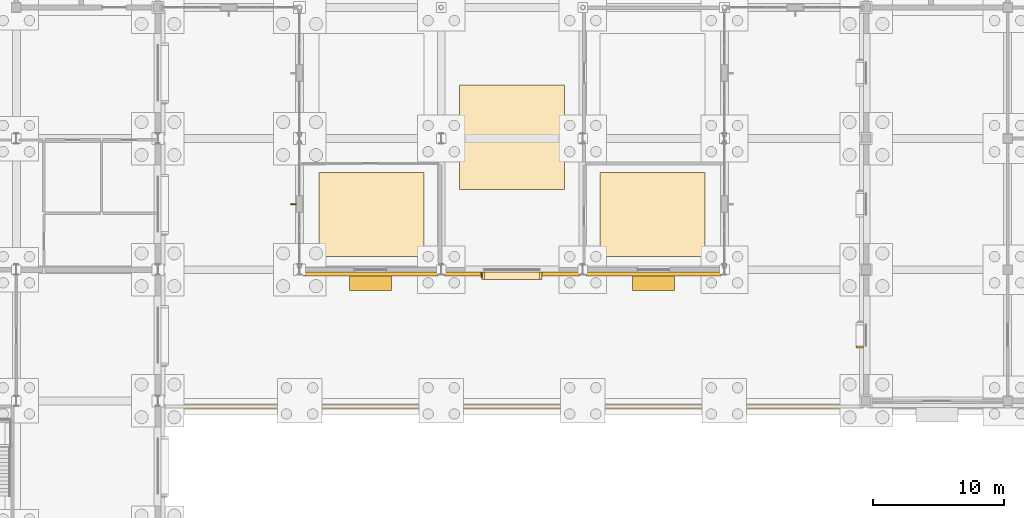
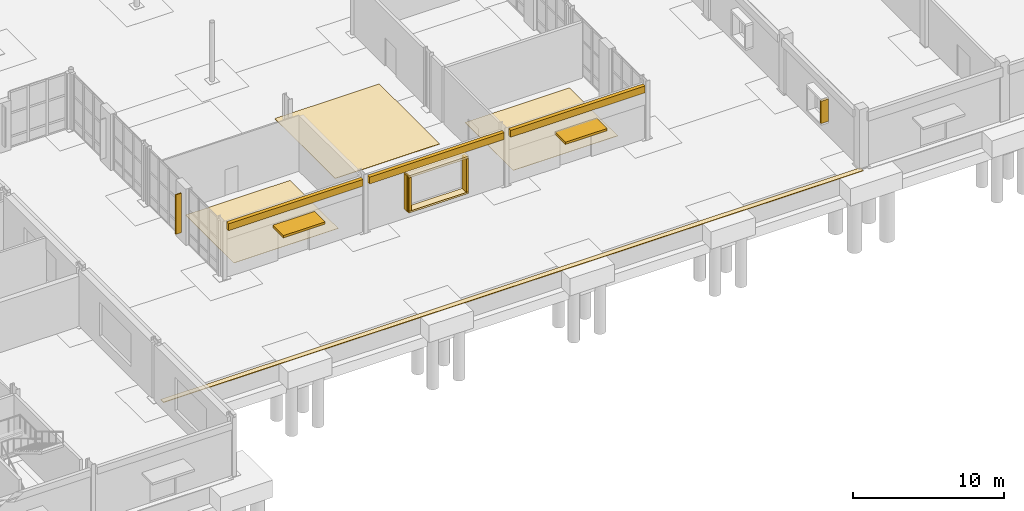
# One storey, part 64 of 73: 12 coverings, 4 shading devices.
"""IFC4 building model written with IfcOpenShell, lengths in metres."""

from ifc_helpers import new_model, si_unit, direction, frame, origin, origin_2d, place, context, subcontext, project, spatial, rectangle, extrude, material, layer, layer_set, type_object, element, save


model = new_model("IFC4")

# Units and contexts
model_context = context("Model", 3, precision=1e-05, world=origin(), true_north=direction((0.0, 1.0)))
body_context = subcontext(model_context, "Body", "Model", "MODEL_VIEW")
ifc_project = project(units=[si_unit("LENGTHUNIT", "METRE"), si_unit("AREAUNIT", "SQUARE_METRE"), si_unit("VOLUMEUNIT", "CUBIC_METRE"), si_unit("PLANEANGLEUNIT", "RADIAN"), si_unit("MASSUNIT", "GRAM", prefix="KILO")], contexts=[model_context])

# Site, building, storey
site_placement = place(None, origin())
site = spatial("IfcSite", under=ifc_project, at=site_placement, CompositionType="ELEMENT")
building_placement = place(site_placement, origin())
building = spatial("IfcBuilding", under=site, at=building_placement, Name="Tasgan Crest Museum", CompositionType="ELEMENT")
storey_placement = place(building_placement, origin())
storey = spatial("IfcBuildingStorey", under=building, at=storey_placement, Name="L00", CompositionType="ELEMENT", Elevation=0.0)

# Coverings
ifc_material_1 = material(Name="Polished Granite Terrazzo", Category="masonry")
ifc_layer_1 = layer(ifc_material_1, 0.030029296875, Name="COV-FLOOR-TERRAZZO")
ifc_layer_set_1 = layer_set([ifc_layer_1], Name="Polished Granite Terrazzo")
covering_type_1 = type_object("IfcCoveringType", Name="COV-FLOOR-TERRAZZO", PredefinedType="FLOORING", material=ifc_layer_set_1)
for number, where, z_axis, x_axis, name in (
    (1, (70.300048828125, 24.199951171875, 0.0), (0.0, 0.0, 1.0), (1.0, 0.0, 0.0), "West Entrance Airlock Tambur floor finish"),
    (2, (91.699951171875, 24.199951171875, 0.0), (0.0, 0.0, 1.0), (1.0, 0.0, 0.0), "East Entrance Airlock Tambur floor finish"),
):
    element("IfcCovering", number, at=place(storey_placement, frame(where, z_axis=z_axis, x_axis=x_axis)), inside=storey, type_object=covering_type_1, Name=name, PredefinedType="FLOORING", context=body_context, shape_type="SweptSolid", body=[
        extrude(rectangle(XDim=8.0, YDim=6.39990234375, at=origin_2d()), origin(), (0.0, 0.0, 1.0), 0.030029296875),
    ])
covering_1_placement = place(storey_placement, frame((81.0, 30.10009765625, 0.0), z_axis=(0.0, 0.0, 1.0), x_axis=(1.0, 0.0, 0.0)))
element("IfcCovering", 3, at=covering_1_placement, inside=storey, type_object=covering_type_1, Name="Ticketing Hall and Cloakroom floor finish", PredefinedType="FLOORING", context=body_context, shape_type="SweptSolid", body=[
    extrude(rectangle(XDim=8.0, YDim=8.0, at=origin_2d()), origin(), (0.0, 0.0, 1.0), 0.030029296875),
])
ifc_material_2 = material(Name="Honed Rose-Red Mongolian Granite", Category="masonry")
ifc_layer_2 = layer(ifc_material_2, 0.0400390625, Name="COV-GRANITE-ROSE")
ifc_layer_set_2 = layer_set([ifc_layer_2], Name="Honed Rose-Red Mongolian Granite")
covering_type_2 = type_object("IfcCoveringType", Name="COV-GRANITE-ROSE", PredefinedType="CLADDING", material=ifc_layer_set_2)
for number, where, z_axis, x_axis, name in (
    (4, (70.199951171875, 19.679931640625, 3.9599609375), (0.0, 0.0, 1.0), (1.0, 0.0, 0.0), "Stone frieze cladding L00"),
    (5, (81.0, 19.679931640625, 3.9599609375), (0.0, 0.0, 1.0), (1.0, 0.0, 0.0), "Stone frieze cladding L00"),
):
    element("IfcCovering", number, at=place(storey_placement, frame(where, z_axis=z_axis, x_axis=x_axis)), inside=storey, type_object=covering_type_2, Name=name, PredefinedType="CLADDING", context=body_context, shape_type="SweptSolid", body=[
        extrude(rectangle(XDim=10.31005859375, YDim=0.280029296875, at=origin_2d()), origin(), (0.0, 0.0, 1.0), 0.550048828125),
    ])
for number, where, z_axis, x_axis, name in (
    (6, (78.81005859375, 19.544921875, 0.89990234375), (0.0, 0.0, 1.0), (1.0, 0.0, 0.0), "Deep window reveal jamb L00-006"),
    (7, (83.18994140625, 19.544921875, 0.89990234375), (0.0, 0.0, 1.0), (1.0, 0.0, 0.0), "Deep window reveal jamb L00-006"),
):
    element("IfcCovering", number, at=place(storey_placement, frame(where, z_axis=z_axis, x_axis=x_axis)), inside=storey, type_object=covering_type_2, Name=name, PredefinedType="CLADDING", context=body_context, shape_type="SweptSolid", body=[
        extrude(rectangle(XDim=0.179931640625, YDim=0.550048828125, at=origin_2d()), origin(), (0.0, 0.0, 1.0), 2.699951171875),
    ])
covering_2_placement = place(storey_placement, frame((91.800048828125, 19.679931640625, 3.9599609375), z_axis=(0.0, 0.0, 1.0), x_axis=(1.0, 0.0, 0.0)))
element("IfcCovering", 8, at=covering_2_placement, inside=storey, type_object=covering_type_2, Name="Stone frieze cladding L00", PredefinedType="CLADDING", context=body_context, shape_type="SweptSolid", body=[
    extrude(rectangle(XDim=10.31005859375, YDim=0.280029296875, at=origin_2d()), origin(), (0.0, 0.0, 1.0), 0.550048828125),
])
covering_3_placement = place(storey_placement, frame((107.514892578125, 14.110107421875, 1.2001953125), z_axis=(0.0, 0.0, 1.0), x_axis=(0.0, -1.0, 0.0)))
element("IfcCovering", 9, at=covering_3_placement, inside=storey, type_object=covering_type_2, Name="Deep window reveal jamb L00-009", PredefinedType="CLADDING", context=body_context, shape_type="SweptSolid", body=[
    extrude(rectangle(XDim=0.179931640625, YDim=0.550048828125, at=origin_2d()), origin(), (0.0, 0.0, 1.0), 1.800048828125),
])
ifc_material_3 = material(Name="Honed Buff Limestone", Category="masonry")
ifc_layer_3 = layer(ifc_material_3, 0.044921875, Name="COV-LIMESTONE-BUFF")
ifc_layer_set_3 = layer_set([ifc_layer_3], Name="Honed Buff Limestone")
covering_type_3 = type_object("IfcCoveringType", Name="COV-LIMESTONE-BUFF", PredefinedType="CLADDING", material=ifc_layer_set_3)
covering_4_placement = place(storey_placement, frame((81.0, 9.570068359375, -0.02001953125), z_axis=(0.0, 0.0, 1.0), x_axis=(1.0, 0.0, 0.0)))
element("IfcCovering", 10, at=covering_4_placement, inside=storey, type_object=covering_type_3, Name="Hillside plinth stone coping S-FORE", PredefinedType="CLADDING", context=body_context, shape_type="SweptSolid", body=[
    extrude(rectangle(XDim=53.60009765625, YDim=0.3798828125, at=origin_2d()), origin(), (0.0, 0.0, 1.0), 0.050048828125),
])
covering_5_placement = place(storey_placement, frame((81.0, 19.544921875, 3.60009765625), z_axis=(0.0, 0.0, 1.0), x_axis=(1.0, 0.0, 0.0)))
element("IfcCovering", 11, at=covering_5_placement, inside=storey, type_object=covering_type_3, Name="Deep window hood L00-006", PredefinedType="CLADDING", context=body_context, shape_type="SweptSolid", body=[
    extrude(rectangle(XDim=4.56005859375, YDim=0.550048828125, at=origin_2d()), origin(), (0.0, 0.0, 1.0), 0.179931640625),
])
covering_6_placement = place(storey_placement, frame((81.0, 19.544921875, 0.76025390625), z_axis=(0.0, 0.0, 1.0), x_axis=(1.0, 0.0, 0.0)))
element("IfcCovering", 12, at=covering_6_placement, inside=storey, type_object=covering_type_3, Name="Deep window sill L00-006", PredefinedType="CLADDING", context=body_context, shape_type="SweptSolid", body=[
    extrude(rectangle(XDim=4.56005859375, YDim=0.550048828125, at=origin_2d()), origin(), (0.0, 0.0, 1.0), 0.139892578125),
])

# Shading devices
ifc_material_4 = material(Name="Galvanised Steel Snow Canopy", Category="steel")
shading_device_type_1 = type_object("IfcShadingDeviceType", Name="SH-AWNING-SNOW", PredefinedType="AWNING", material=ifc_material_4)
for number, where, z_axis, x_axis, name in (
    (13, (70.199951171875, 19.1201171875, 2.81005859375), (0.0, 0.0, 1.0), (1.0, 0.0, 0.0), "Entrance snow canopy ED003"),
    (14, (91.800048828125, 19.1201171875, 2.81005859375), (0.0, 0.0, 1.0), (1.0, 0.0, 0.0), "Entrance snow canopy ED004"),
):
    element("IfcShadingDevice", number, at=place(storey_placement, frame(where, z_axis=z_axis, x_axis=x_axis)), inside=storey, type_object=shading_device_type_1, Name=name, PredefinedType="AWNING", context=body_context, shape_type="SweptSolid", body=[
        extrude(rectangle(XDim=3.199951171875, YDim=1.39990234375, at=origin_2d()), origin(), (0.0, 0.0, 1.0), 0.179931640625),
    ])
ifc_material_5 = material(Name="Anodised Bronze Aluminium", Category="aluminium")
shading_device_type_2 = type_object("IfcShadingDeviceType", Name="SH-FIN-V400", PredefinedType="JALOUSIE", material=ifc_material_5)
shading_device_1_placement = place(storey_placement, frame((64.35009765625, 25.0, 0.68017578125), z_axis=(0.0, 0.0, 1.0), x_axis=(0.0, -1.0, 0.0)))
element("IfcShadingDevice", 15, at=shading_device_1_placement, inside=storey, type_object=shading_device_type_2, Name="Facade pier solar fin L00", PredefinedType="JALOUSIE", context=body_context, shape_type="SweptSolid", body=[
    extrude(rectangle(XDim=0.080078125, YDim=0.419921875, at=origin_2d()), origin(), (0.0, 0.0, 1.0), 3.199951171875),
])
shading_device_2_placement = place(storey_placement, frame((78.679931640625, 19.610107421875, 0.800048828125), z_axis=(0.0, 0.0, 1.0), x_axis=(1.0, 0.0, 0.0)))
element("IfcShadingDevice", 16, at=shading_device_2_placement, inside=storey, type_object=shading_device_type_2, Name="Solar shading fin L00-006", PredefinedType="JALOUSIE", context=body_context, shape_type="SweptSolid", body=[
    extrude(rectangle(XDim=0.080078125, YDim=0.419921875, at=origin_2d()), origin(), (0.0, 0.0, 1.0), 2.89990234375),
])

save(model, "model.ifc")
